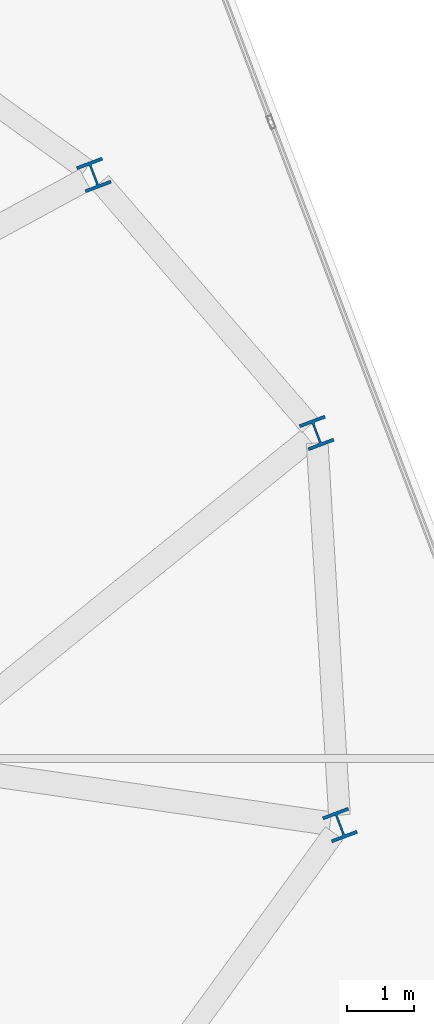
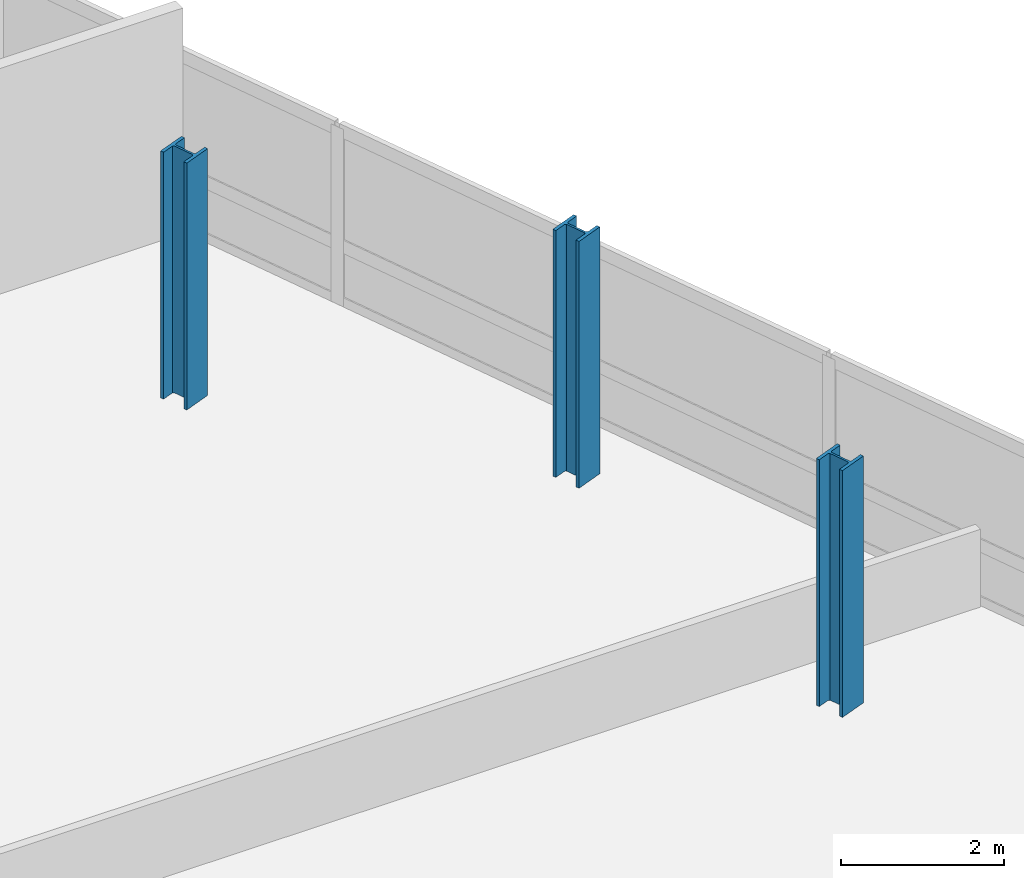
# One storey, part 2 of 19: 3 columns.
"""IFC4 building model written with IfcOpenShell, lengths in metres."""

from ifc_helpers import new_model, si_unit, direction, frame, origin, origin_2d, place, context, subcontext, project, spatial, i_section, extrude, material, material_profile, profile_set, type_object, element, save


model = new_model("IFC4")

# Units and contexts
model_context = context("Model", 3, precision=1e-05, world=origin(), true_north=direction((0.0, 1.0)))
body_context = subcontext(model_context, "Body", "Model", "MODEL_VIEW")
ifc_project = project(units=[si_unit("LENGTHUNIT", "METRE"), si_unit("AREAUNIT", "SQUARE_METRE"), si_unit("VOLUMEUNIT", "CUBIC_METRE"), si_unit("PLANEANGLEUNIT", "RADIAN"), si_unit("MASSUNIT", "GRAM", prefix="KILO")], contexts=[model_context])

# Site, building, storey
site_placement = place(None, origin())
site = spatial("IfcSite", under=ifc_project, at=site_placement, CompositionType="ELEMENT")
building_placement = place(site_placement, origin())
building = spatial("IfcBuilding", under=site, at=building_placement, Name="Varnelok Gate Tower", CompositionType="ELEMENT")
storey_placement = place(building_placement, frame((0.0, 0.0, 249.699951171875)))
storey = spatial("IfcBuildingStorey", under=building, at=storey_placement, Name="L64", CompositionType="ELEMENT", Elevation=249.699951171875)

# Columns
ifc_material = material(Name="Structural Steel ASTM A992 Grade 50", Category="steel")
ifc_material_profile = material_profile(ifc_material, i_section(OverallWidth=0.406005859375, OverallDepth=0.416015625, WebThickness=0.02978515625, FlangeThickness=0.048095703125, FilletRadius=0.02490234375, at=origin_2d()), Name="W14X257")
ifc_profile_set = profile_set([ifc_material_profile], Name="Structural Steel ASTM A992 Grade 50")
column_type = type_object("IfcColumnType", Name="COL-W14X257", PredefinedType="COLUMN", material=ifc_profile_set)
for number, where, z_axis, x_axis, name in (
    (1, (71.05517578125, 26.453369140625, 0.0), (0.0, 0.0, 1.0), (0.935221751401, 0.354062530786, 0.0), "L64 B5 Perimeter Column PC06"),
    (2, (70.70556640625, 32.319580078125, 0.0), (0.0, 0.0, 1.0), (0.935221751401, 0.354062530786, 0.0), "L64 B5 Perimeter Column PC07"),
    (3, (67.372802734375, 36.1796875, 0.0), (0.0, 0.0, 1.0), (0.935221751401, 0.354062530786, 0.0), "L64 B5 Perimeter Column PC08"),
):
    element("IfcColumn", number, at=place(storey_placement, frame(where, z_axis=z_axis, x_axis=x_axis)), inside=storey, type_object=column_type, Name=name, PredefinedType="COLUMN", context=body_context, shape_type="SweptSolid", body=[
        extrude(i_section(OverallWidth=0.406005859375, OverallDepth=0.416015625, WebThickness=0.02978515625, FlangeThickness=0.048095703125, FilletRadius=0.02490234375, at=origin_2d()), origin(), (0.0, 0.0, 1.0), 3.699951171875),
    ])

save(model, "model.ifc")
